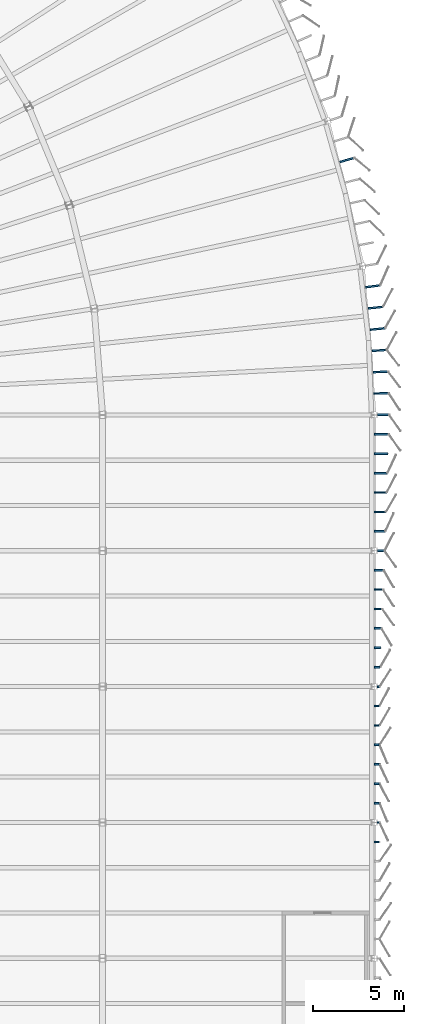
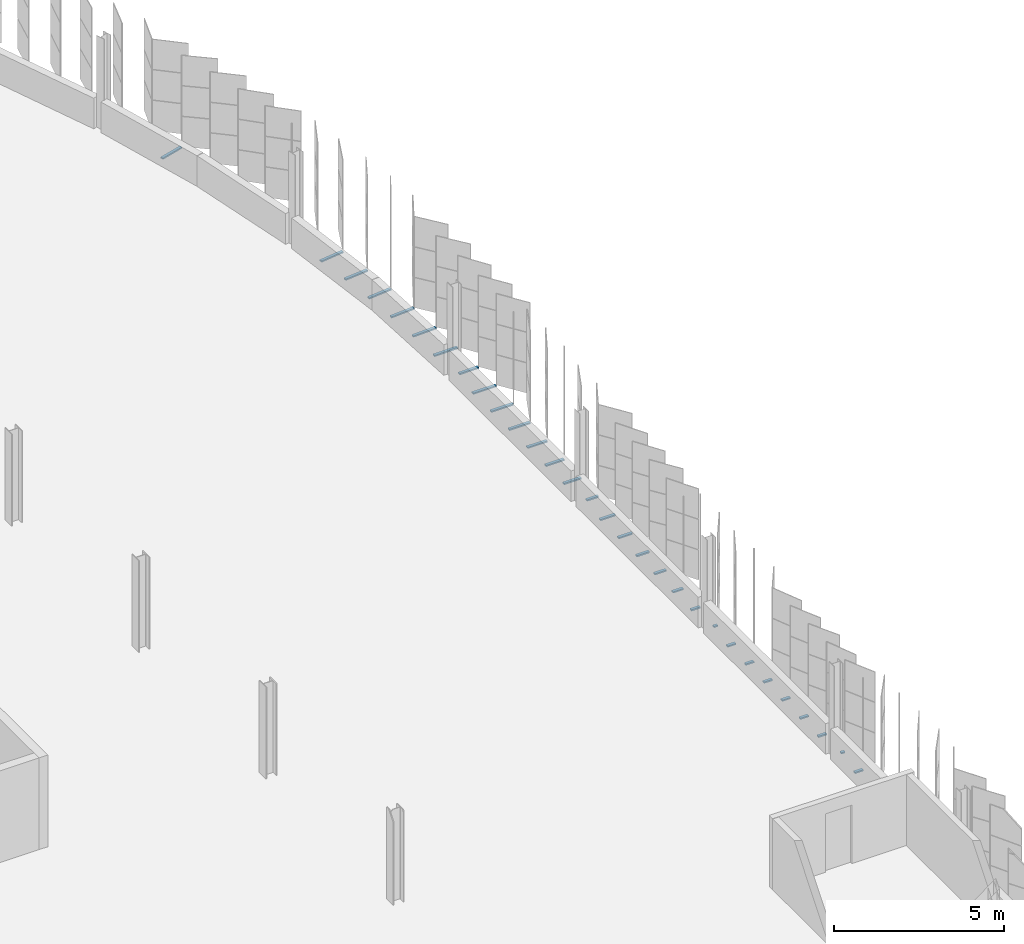
# One storey, part 187 of 214: 30 discrete accessories.
"""IFC4 building model written with IfcOpenShell, lengths in metres."""

from ifc_helpers import new_model, si_unit, direction, frame, origin, origin_2d, place, context, subcontext, project, spatial, rectangle, extrude, material, type_object, element, save


model = new_model("IFC4")

# Units and contexts
model_context = context("Model", 3, precision=1e-05, world=origin(), true_north=direction((0.0, 1.0)))
body_context = subcontext(model_context, "Body", "Model", "MODEL_VIEW")
ifc_project = project(units=[si_unit("LENGTHUNIT", "METRE"), si_unit("AREAUNIT", "SQUARE_METRE"), si_unit("VOLUMEUNIT", "CUBIC_METRE"), si_unit("PLANEANGLEUNIT", "RADIAN"), si_unit("MASSUNIT", "GRAM", prefix="KILO")], contexts=[model_context])

# Site, building, storey
site_placement = place(None, origin())
site = spatial("IfcSite", under=ifc_project, at=site_placement, CompositionType="ELEMENT")
building_placement = place(site_placement, origin())
building = spatial("IfcBuilding", under=site, at=building_placement, Name="Parallax Yard Mobility Hub", CompositionType="ELEMENT")
storey_placement = place(building_placement, frame((0.0, 0.0, 3.300048828125)))
storey = spatial("IfcBuildingStorey", under=building, at=storey_placement, Name="L01", CompositionType="ELEMENT", Elevation=3.300048828125)

# Discrete accessories
ifc_material = material(Name="Steel ASTM A36, hot-dip galvanised", Category="steel")
discrete_accessory_type = type_object("IfcDiscreteAccessoryType", Name="Hinge bracket plate 100x50", PredefinedType="BRACKET", material=ifc_material)
discrete_accessory_1_placement = place(storey_placement, frame((225.1416015625, 66.42431640625, -0.02490234375), z_axis=(0.0, 0.0, 1.0), x_axis=(1.0, 0.0, 0.0)))
element("IfcDiscreteAccessory", 1, at=discrete_accessory_1_placement, inside=storey, type_object=discrete_accessory_type, Name="Hinge bracket plate bay 37.7 level L01", PredefinedType="BRACKET", context=body_context, shape_type="SweptSolid", body=[
    extrude(rectangle(XDim=0.2841796875, YDim=0.10009765625, at=origin_2d()), origin(), (0.0, 0.0, 1.0), 0.050048828125),
])
discrete_accessory_2_placement = place(storey_placement, frame((225.219482421875, 67.49609375, -0.02490234375), z_axis=(0.0, 0.0, 1.0), x_axis=(1.0, 0.0, 0.0)))
element("IfcDiscreteAccessory", 2, at=discrete_accessory_2_placement, inside=storey, type_object=discrete_accessory_type, Name="Hinge bracket plate bay 38.1 level L01", PredefinedType="BRACKET", context=body_context, shape_type="SweptSolid", body=[
    extrude(rectangle(XDim=0.128173828125, YDim=0.10009765625, at=origin_2d()), origin(), (0.0, 0.0, 1.0), 0.050048828125),
])
for number, where, z_axis, x_axis, name in (
    (3, (225.1416015625, 68.56787109375, -0.02490234375), (0.0, 0.0, 1.0), (1.0, 0.0, 0.0), "Hinge bracket plate bay 38.2 level L01"),
    (4, (225.1416015625, 69.639404296875, -0.02490234375), (0.0, 0.0, 1.0), (1.0, 0.0, 0.0), "Hinge bracket plate bay 38.3 level L01"),
    (5, (225.1416015625, 70.711181640625, -0.02490234375), (0.0, 0.0, 1.0), (1.0, 0.0, 0.0), "Hinge bracket plate bay 38.4 level L01"),
    (6, (225.1416015625, 71.782958984375, -0.02490234375), (0.0, 0.0, 1.0), (1.0, 0.0, 0.0), "Hinge bracket plate bay 38.5 level L01"),
    (7, (225.1416015625, 72.854736328125, -0.02490234375), (0.0, 0.0, 1.0), (1.0, 0.0, 0.0), "Hinge bracket plate bay 38.6 level L01"),
    (8, (225.1416015625, 73.926513671875, -0.02490234375), (0.0, 0.0, 1.0), (1.0, 0.0, 0.0), "Hinge bracket plate bay 38.7 level L01"),
):
    element("IfcDiscreteAccessory", number, at=place(storey_placement, frame(where, z_axis=z_axis, x_axis=x_axis)), inside=storey, type_object=discrete_accessory_type, Name=name, PredefinedType="BRACKET", context=body_context, shape_type="SweptSolid", body=[
        extrude(rectangle(XDim=0.2841796875, YDim=0.10009765625, at=origin_2d()), origin(), (0.0, 0.0, 1.0), 0.050048828125),
    ])
discrete_accessory_3_placement = place(storey_placement, frame((225.219482421875, 74.998291015625, -0.02490234375), z_axis=(0.0, 0.0, 1.0), x_axis=(1.0, 0.0, 0.0)))
element("IfcDiscreteAccessory", 9, at=discrete_accessory_3_placement, inside=storey, type_object=discrete_accessory_type, Name="Hinge bracket plate bay 39.1 level L01", PredefinedType="BRACKET", context=body_context, shape_type="SweptSolid", body=[
    extrude(rectangle(XDim=0.128173828125, YDim=0.10009765625, at=origin_2d()), origin(), (0.0, 0.0, 1.0), 0.050048828125),
])
discrete_accessory_4_placement = place(storey_placement, frame((225.156982421875, 76.06982421875, -0.02490234375), z_axis=(0.0, 0.0, 1.0), x_axis=(1.0, 0.0, 0.0)))
element("IfcDiscreteAccessory", 10, at=discrete_accessory_4_placement, inside=storey, type_object=discrete_accessory_type, Name="Hinge bracket plate bay 39.2 level L01", PredefinedType="BRACKET", context=body_context, shape_type="SweptSolid", body=[
    extrude(rectangle(XDim=0.31494140625, YDim=0.10009765625, at=origin_2d()), origin(), (0.0, 0.0, 1.0), 0.050048828125),
])
discrete_accessory_5_placement = place(storey_placement, frame((225.177001953125, 77.1416015625, -0.02490234375), z_axis=(0.0, 0.0, 1.0), x_axis=(1.0, 0.0, 0.0)))
element("IfcDiscreteAccessory", 11, at=discrete_accessory_5_placement, inside=storey, type_object=discrete_accessory_type, Name="Hinge bracket plate bay 39.3 level L01", PredefinedType="BRACKET", context=body_context, shape_type="SweptSolid", body=[
    extrude(rectangle(XDim=0.35498046875, YDim=0.10009765625, at=origin_2d()), origin(), (0.0, 0.0, 1.0), 0.050048828125),
])
discrete_accessory_6_placement = place(storey_placement, frame((225.197021484375, 78.21337890625, -0.02490234375), z_axis=(0.0, 0.0, 1.0), x_axis=(1.0, 0.0, 0.0)))
element("IfcDiscreteAccessory", 12, at=discrete_accessory_6_placement, inside=storey, type_object=discrete_accessory_type, Name="Hinge bracket plate bay 39.4 level L01", PredefinedType="BRACKET", context=body_context, shape_type="SweptSolid", body=[
    extrude(rectangle(XDim=0.39501953125, YDim=0.10009765625, at=origin_2d()), origin(), (0.0, 0.0, 1.0), 0.050048828125),
])
discrete_accessory_7_placement = place(storey_placement, frame((225.217041015625, 79.28515625, -0.02490234375), z_axis=(0.0, 0.0, 1.0), x_axis=(1.0, 0.0, 0.0)))
element("IfcDiscreteAccessory", 13, at=discrete_accessory_7_placement, inside=storey, type_object=discrete_accessory_type, Name="Hinge bracket plate bay 39.5 level L01", PredefinedType="BRACKET", context=body_context, shape_type="SweptSolid", body=[
    extrude(rectangle(XDim=0.435302734375, YDim=0.10009765625, at=origin_2d()), origin(), (0.0, 0.0, 1.0), 0.050048828125),
])
discrete_accessory_8_placement = place(storey_placement, frame((225.237060546875, 80.356689453125, -0.02490234375), z_axis=(0.0, 0.0, 1.0), x_axis=(1.0, 0.0, 0.0)))
element("IfcDiscreteAccessory", 14, at=discrete_accessory_8_placement, inside=storey, type_object=discrete_accessory_type, Name="Hinge bracket plate bay 39.6 level L01", PredefinedType="BRACKET", context=body_context, shape_type="SweptSolid", body=[
    extrude(rectangle(XDim=0.47509765625, YDim=0.10009765625, at=origin_2d()), origin(), (0.0, 0.0, 1.0), 0.050048828125),
])
discrete_accessory_9_placement = place(storey_placement, frame((225.257080078125, 81.4287109375, -0.02490234375), z_axis=(0.0, 0.0, 1.0), x_axis=(1.0, 0.0, 0.0)))
element("IfcDiscreteAccessory", 15, at=discrete_accessory_9_placement, inside=storey, type_object=discrete_accessory_type, Name="Hinge bracket plate bay 39.7 level L01", PredefinedType="BRACKET", context=body_context, shape_type="SweptSolid", body=[
    extrude(rectangle(XDim=0.515380859375, YDim=0.10009765625, at=origin_2d()), origin(), (0.0, 0.0, 1.0), 0.050048828125),
])
discrete_accessory_10_placement = place(storey_placement, frame((225.355224609375, 82.500244140625, -0.02490234375), z_axis=(0.0, 0.0, 1.0), x_axis=(1.0, 0.0, 0.0)))
element("IfcDiscreteAccessory", 16, at=discrete_accessory_10_placement, inside=storey, type_object=discrete_accessory_type, Name="Hinge bracket plate bay 40.1 level L01", PredefinedType="BRACKET", context=body_context, shape_type="SweptSolid", body=[
    extrude(rectangle(XDim=0.3994140625, YDim=0.10009765625, at=origin_2d()), origin(), (0.0, 0.0, 1.0), 0.050048828125),
])
discrete_accessory_11_placement = place(storey_placement, frame((225.29736328125, 83.572021484375, -0.02490234375), z_axis=(0.0, 0.0, 1.0), x_axis=(1.0, 0.0, 0.0)))
element("IfcDiscreteAccessory", 17, at=discrete_accessory_11_placement, inside=storey, type_object=discrete_accessory_type, Name="Hinge bracket plate bay 40.2 level L01", PredefinedType="BRACKET", context=body_context, shape_type="SweptSolid", body=[
    extrude(rectangle(XDim=0.595458984375, YDim=0.10009765625, at=origin_2d()), origin(), (0.0, 0.0, 1.0), 0.050048828125),
])
discrete_accessory_12_placement = place(storey_placement, frame((225.3173828125, 84.643798828125, -0.02490234375), z_axis=(0.0, 0.0, 1.0), x_axis=(1.0, 0.0, 0.0)))
element("IfcDiscreteAccessory", 18, at=discrete_accessory_12_placement, inside=storey, type_object=discrete_accessory_type, Name="Hinge bracket plate bay 40.3 level L01", PredefinedType="BRACKET", context=body_context, shape_type="SweptSolid", body=[
    extrude(rectangle(XDim=0.635498046875, YDim=0.10009765625, at=origin_2d()), origin(), (0.0, 0.0, 1.0), 0.050048828125),
])
discrete_accessory_13_placement = place(storey_placement, frame((225.33740234375, 85.715576171875, -0.02490234375), z_axis=(0.0, 0.0, 1.0), x_axis=(1.0, 0.0, 0.0)))
element("IfcDiscreteAccessory", 19, at=discrete_accessory_13_placement, inside=storey, type_object=discrete_accessory_type, Name="Hinge bracket plate bay 40.4 level L01", PredefinedType="BRACKET", context=body_context, shape_type="SweptSolid", body=[
    extrude(rectangle(XDim=0.67578125, YDim=0.10009765625, at=origin_2d()), origin(), (0.0, 0.0, 1.0), 0.050048828125),
])
discrete_accessory_14_placement = place(storey_placement, frame((225.357421875, 86.787109375, -0.02490234375), z_axis=(0.0, 0.0, 1.0), x_axis=(1.0, 0.0, 0.0)))
element("IfcDiscreteAccessory", 20, at=discrete_accessory_14_placement, inside=storey, type_object=discrete_accessory_type, Name="Hinge bracket plate bay 40.5 level L01", PredefinedType="BRACKET", context=body_context, shape_type="SweptSolid", body=[
    extrude(rectangle(XDim=0.7158203125, YDim=0.10009765625, at=origin_2d()), origin(), (0.0, 0.0, 1.0), 0.050048828125),
])
discrete_accessory_15_placement = place(storey_placement, frame((225.37744140625, 87.85888671875, -0.02490234375), z_axis=(0.0, 0.0, 1.0), x_axis=(1.0, 0.0, 0.0)))
element("IfcDiscreteAccessory", 21, at=discrete_accessory_15_placement, inside=storey, type_object=discrete_accessory_type, Name="Hinge bracket plate bay 40.6 level L01", PredefinedType="BRACKET", context=body_context, shape_type="SweptSolid", body=[
    extrude(rectangle(XDim=0.755859375, YDim=0.10009765625, at=origin_2d()), origin(), (0.0, 0.0, 1.0), 0.050048828125),
])
discrete_accessory_16_placement = place(storey_placement, frame((225.3974609375, 88.9306640625, -0.02490234375), z_axis=(0.0, 0.0, 1.0), x_axis=(1.0, 0.0, 0.0)))
element("IfcDiscreteAccessory", 22, at=discrete_accessory_16_placement, inside=storey, type_object=discrete_accessory_type, Name="Hinge bracket plate bay 40.7 level L01", PredefinedType="BRACKET", context=body_context, shape_type="SweptSolid", body=[
    extrude(rectangle(XDim=0.7958984375, YDim=0.10009765625, at=origin_2d()), origin(), (0.0, 0.0, 1.0), 0.050048828125),
])
discrete_accessory_17_placement = place(storey_placement, frame((225.482421875, 90.0048828125, -0.02490234375), z_axis=(0.0, 0.0, 1.0), x_axis=(0.999898038478, 0.01427979859, 0.0)))
element("IfcDiscreteAccessory", 23, at=discrete_accessory_17_placement, inside=storey, type_object=discrete_accessory_type, Name="Hinge bracket plate bay 41.1 level L01", PredefinedType="BRACKET", context=body_context, shape_type="SweptSolid", body=[
    extrude(rectangle(XDim=0.64990234375, YDim=0.10009765625, at=origin_2d()), origin(), (0.0, 0.0, 1.0), 0.050048828125),
])
for number, where, z_axis, x_axis, name in (
    (24, (225.38671875, 91.188232421875, -0.02490234375), (0.0, 0.0, 1.0), (0.999898038478, 0.01427979859, 0.0), "Hinge bracket plate bay 41.2 level L01"),
    (25, (225.344970703125, 92.374755859375, -0.02490234375), (0.0, 0.0, 1.0), (0.999082545799, 0.042826004716, 0.0), "Hinge bracket plate bay 41.3 level L01"),
    (26, (225.278564453125, 93.560302734375, -0.02490234375), (0.0, 0.0, 1.0), (0.997452125929, 0.071339024937, 0.0), "Hinge bracket plate bay 41.4 level L01"),
    (27, (225.187744140625, 94.743896484375, -0.02490234375), (0.0, 0.0, 1.0), (0.995008133644, 0.099793857441, 0.0), "Hinge bracket plate bay 41.5 level L01"),
    (28, (225.069580078125, 95.922607421875, -0.02490234375), (0.0, 0.0, 1.0), (0.995008133644, 0.099793857441, 0.0), "Hinge bracket plate bay 41.6 level L01"),
    (29, (224.92041015625, 97.100341796875, -0.02490234375), (0.0, 0.0, 1.0), (0.991752786078, 0.12816556209, 0.0), "Hinge bracket plate bay 41.7 level L01"),
    (30, (223.49169921875, 104.073486328125, -0.02490234375), (0.0, 0.0, 1.0), (0.963417928757, 0.268003534583, 0.0), "Hinge bracket plate bay 42.6 level L01"),
):
    element("IfcDiscreteAccessory", number, at=place(storey_placement, frame(where, z_axis=z_axis, x_axis=x_axis)), inside=storey, type_object=discrete_accessory_type, Name=name, PredefinedType="BRACKET", context=body_context, shape_type="SweptSolid", body=[
        extrude(rectangle(XDim=0.80810546875, YDim=0.10009765625, at=origin_2d()), origin(), (0.0, 0.0, 1.0), 0.050048828125),
    ])

save(model, "model.ifc")
